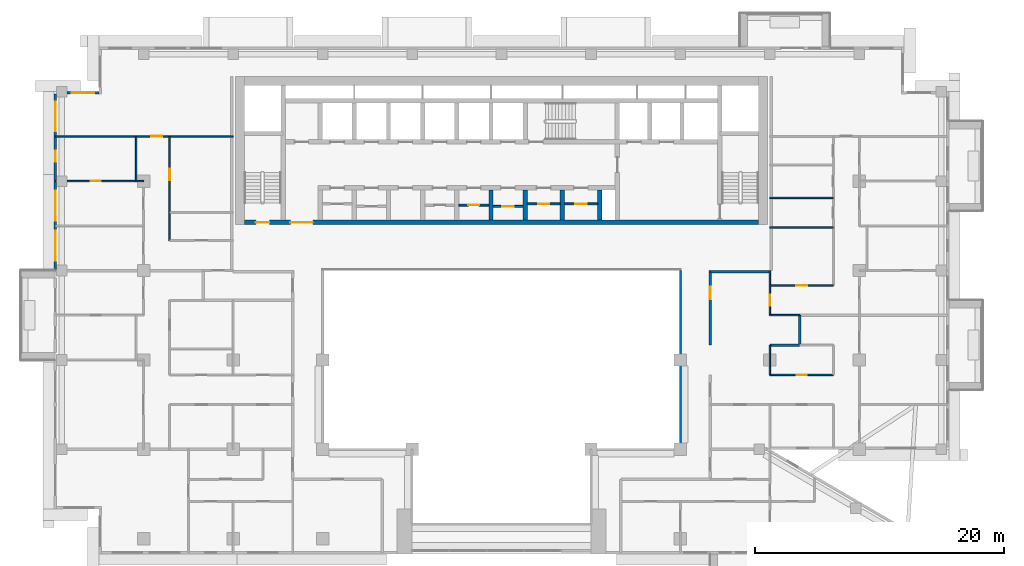
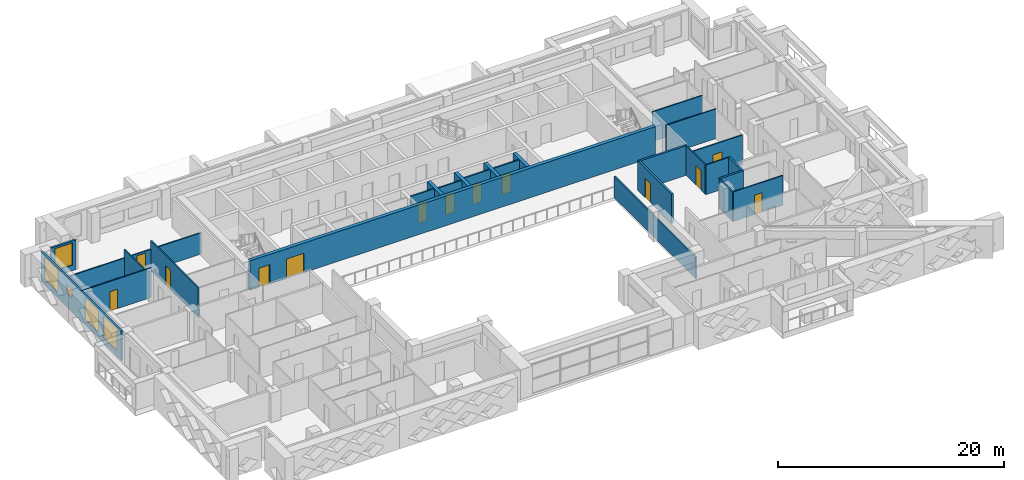
# One storey, part 9 of 20: 27 walls, 13 doors, 5 windows, 18 openings.
"""IFC4 building model written with IfcOpenShell, lengths in metres."""

from ifc_helpers import new_model, si_unit, direction, frame, frame_2d, origin, place, context, subcontext, project, spatial, rectangle, extrude, material, layer, layer_set, type_object, element, fill, save


model = new_model("IFC4")

# Units and contexts
model_context = context("Model", 3, precision=1e-05, world=origin(), true_north=direction((0.0, 1.0)))
body_context = subcontext(model_context, "Body", "Model", "MODEL_VIEW")
ifc_project = project(units=[si_unit("LENGTHUNIT", "METRE"), si_unit("AREAUNIT", "SQUARE_METRE"), si_unit("VOLUMEUNIT", "CUBIC_METRE"), si_unit("PLANEANGLEUNIT", "RADIAN"), si_unit("MASSUNIT", "GRAM", prefix="KILO")], contexts=[model_context])

# Site, building, storey
site_placement = place(None, origin())
site = spatial("IfcSite", under=ifc_project, at=site_placement, CompositionType="ELEMENT")
building_placement = place(site_placement, origin())
building = spatial("IfcBuilding", under=site, at=building_placement, Name="Saffron Iwan Residences", CompositionType="ELEMENT")
storey_placement = place(building_placement, frame((0.0, 0.0, 143.0)))
storey = spatial("IfcBuildingStorey", under=building, at=storey_placement, Name="L37", CompositionType="ELEMENT", Elevation=143.0)

# Wall
ifc_material_1 = material(Name="Fire-rated glazing", Category="glass")
ifc_layer_1 = layer(ifc_material_1, 0.14990234375)
ifc_layer_set_1 = layer_set([ifc_layer_1], Name="Fire-rated glazing")
wall_type_1 = type_object("IfcWallType", Name="Atrium glazed screen 150", PredefinedType="SOLIDWALL", material=ifc_layer_set_1)
wall_1_placement = place(storey_placement, frame((64.800048828125, 48.0, 0.0), z_axis=(0.0, 0.0, 1.0), x_axis=(0.0, 1.0, 0.0)))
element("IfcWall", 1, at=wall_1_placement, inside=storey, type_object=wall_type_1, Name="W-L37-SCREEN-v64.8-48", PredefinedType="SOLIDWALL", context=body_context, shape_type="SweptSolid", body=[
    extrude(rectangle(XDim=14.39990234375, YDim=0.14990234375, at=frame_2d((7.199951171875, 0.0))), origin(), (0.0, 0.0, 1.0), 2.300048828125),
])

# Wall, opening, door
ifc_material_2 = material(Name="Fire-rated plasterboard partition")
ifc_layer_2 = layer(ifc_material_2, 0.14990234375)
ifc_layer_set_2 = layer_set([ifc_layer_2], Name="Fire-rated plasterboard partition")
wall_type_2 = type_object("IfcWallType", Name="Core partition 150", PredefinedType="PARTITIONING", material=ifc_layer_set_2)
wall_2_placement = place(storey_placement, frame((46.97509765625, 67.66259765625, 0.0), z_axis=(0.0, 0.0, 1.0), x_axis=(1.0, 0.0, 0.0)))
wall_2 = element("IfcWall", 2, at=wall_2_placement, inside=storey, type_object=wall_type_2, Name="Core partition P04", PredefinedType="PARTITIONING", context=body_context, shape_type="SweptSolid", body=[
    extrude(rectangle(XDim=2.39990234375, YDim=0.14990234375, at=frame_2d((1.199951171875, 0.0))), origin(), (0.0, 0.0, 1.0), 3.199951171875),
])
opening_1_placement = place(wall_2_placement, frame((0.75, 0.0, 0.0)))
opening_1 = element("IfcOpeningElement", 3, at=opening_1_placement, cuts=wall_2, Name="Opening SB", PredefinedType="OPENING", context=body_context, shape_type="SweptSolid", body=[
    extrude(rectangle(XDim=0.89990234375, YDim=2.10009765625, at=frame_2d((0.449951171875, 1.050048828125))), frame((0.0, 0.0849609375, 0.0), z_axis=(0.0, -1.0, 0.0), x_axis=(1.0, 0.0, 0.0)), (0.0, 0.0, 1.0), 0.169921875),
])
ifc_material_3 = material(Name="Steel fire door", Category="steel")
door_type_1 = type_object("IfcDoorType", Name="Store door 900", OperationType="NOTDEFINED", PredefinedType="DOOR", material=ifc_material_3)
door_1_placement = place(opening_1_placement, origin())
door_1 = element("IfcDoor", 4, at=door_1_placement, inside=storey, type_object=door_type_1, Name="Door Mop store", OperationType="SINGLE_SWING_RIGHT", OverallHeight=2.10009765625, OverallWidth=0.89990234375, PredefinedType="DOOR", context=body_context, shape_type="SweptSolid", body=[
    extrude(rectangle(XDim=0.89990234375, YDim=2.10009765625, at=frame_2d((0.449951171875, 1.050048828125))), frame((0.0, 0.02490234375, 0.0), z_axis=(0.0, -1.0, 0.0), x_axis=(1.0, 0.0, 0.0)), (0.0, 0.0, 1.0), 0.050048828125),
])
fill(opening_1, door_1)

wall_3_placement = place(storey_placement, frame((49.72509765625, 67.5654296875, 0.0), z_axis=(0.0, 0.0, 1.0), x_axis=(1.0, 0.0, 0.0)))
wall_3 = element("IfcWall", 5, at=wall_3_placement, inside=storey, type_object=wall_type_2, Name="Core partition P05", PredefinedType="PARTITIONING", context=body_context, shape_type="SweptSolid", body=[
    extrude(rectangle(XDim=2.39990234375, YDim=0.14990234375, at=frame_2d((1.199951171875, 0.0))), origin(), (0.0, 0.0, 1.0), 3.199951171875),
])
opening_2_placement = place(wall_3_placement, frame((0.75, 0.0, 0.0)))
opening_2 = element("IfcOpeningElement", 6, at=opening_2_placement, cuts=wall_3, Name="Opening SB", PredefinedType="OPENING", context=body_context, shape_type="SweptSolid", body=[
    extrude(rectangle(XDim=0.89990234375, YDim=2.10009765625, at=frame_2d((0.449951171875, 1.050048828125))), frame((0.0, 0.0849609375, 0.0), z_axis=(0.0, -1.0, 0.0), x_axis=(1.0, 0.0, 0.0)), (0.0, 0.0, 1.0), 0.169921875),
])
door_2_placement = place(opening_2_placement, origin())
door_2 = element("IfcDoor", 7, at=door_2_placement, inside=storey, type_object=door_type_1, Name="Door Spares store", OperationType="SINGLE_SWING_LEFT", OverallHeight=2.10009765625, OverallWidth=0.89990234375, PredefinedType="DOOR", context=body_context, shape_type="SweptSolid", body=[
    extrude(rectangle(XDim=0.89990234375, YDim=2.10009765625, at=frame_2d((0.449951171875, 1.050048828125))), frame((0.0, 0.02490234375, 0.0), z_axis=(0.0, -1.0, 0.0), x_axis=(1.0, 0.0, 0.0)), (0.0, 0.0, 1.0), 0.050048828125),
])
fill(opening_2, door_2)

wall_4_placement = place(storey_placement, frame((52.47509765625, 67.759521484375, 0.0), z_axis=(0.0, 0.0, 1.0), x_axis=(1.0, 0.0, 0.0)))
wall_4 = element("IfcWall", 8, at=wall_4_placement, inside=storey, type_object=wall_type_2, Name="Core partition P06", PredefinedType="PARTITIONING", context=body_context, shape_type="SweptSolid", body=[
    extrude(rectangle(XDim=2.64990234375, YDim=0.14990234375, at=frame_2d((1.324951171875, 0.0))), origin(), (0.0, 0.0, 1.0), 3.199951171875),
])
opening_3_placement = place(wall_4_placement, frame((0.875, 0.0, 0.0)))
opening_3 = element("IfcOpeningElement", 9, at=opening_3_placement, cuts=wall_4, Name="Opening SB", PredefinedType="OPENING", context=body_context, shape_type="SweptSolid", body=[
    extrude(rectangle(XDim=0.89990234375, YDim=2.10009765625, at=frame_2d((0.449951171875, 1.050048828125))), frame((0.0, 0.0849609375, 0.0), z_axis=(0.0, -1.0, 0.0), x_axis=(1.0, 0.0, 0.0)), (0.0, 0.0, 1.0), 0.169921875),
])
door_3_placement = place(opening_3_placement, origin())
door_3 = element("IfcDoor", 10, at=door_3_placement, inside=storey, type_object=door_type_1, Name="Door Tool store", OperationType="SINGLE_SWING_LEFT", OverallHeight=2.10009765625, OverallWidth=0.89990234375, PredefinedType="DOOR", context=body_context, shape_type="SweptSolid", body=[
    extrude(rectangle(XDim=0.89990234375, YDim=2.10009765625, at=frame_2d((0.449951171875, 1.050048828125))), frame((0.0, 0.02490234375, 0.0), z_axis=(0.0, -1.0, 0.0), x_axis=(1.0, 0.0, 0.0)), (0.0, 0.0, 1.0), 0.050048828125),
])
fill(opening_3, door_3)

wall_5_placement = place(storey_placement, frame((55.47509765625, 67.759521484375, 0.0), z_axis=(0.0, 0.0, 1.0), x_axis=(1.0, 0.0, 0.0)))
wall_5 = element("IfcWall", 11, at=wall_5_placement, inside=storey, type_object=wall_type_2, Name="Core partition P07", PredefinedType="PARTITIONING", context=body_context, shape_type="SweptSolid", body=[
    extrude(rectangle(XDim=2.64990234375, YDim=0.14990234375, at=frame_2d((1.324951171875, 0.0))), origin(), (0.0, 0.0, 1.0), 3.199951171875),
])
opening_4_placement = place(wall_5_placement, frame((0.875, 0.0, 0.0)))
opening_4 = element("IfcOpeningElement", 12, at=opening_4_placement, cuts=wall_5, Name="Opening SB", PredefinedType="OPENING", context=body_context, shape_type="SweptSolid", body=[
    extrude(rectangle(XDim=0.89990234375, YDim=2.10009765625, at=frame_2d((0.449951171875, 1.050048828125))), frame((0.0, 0.0849609375, 0.0), z_axis=(0.0, -1.0, 0.0), x_axis=(1.0, 0.0, 0.0)), (0.0, 0.0, 1.0), 0.169921875),
])
door_4_placement = place(opening_4_placement, origin())
door_4 = element("IfcDoor", 13, at=door_4_placement, inside=storey, type_object=door_type_1, Name="Door Cabling room", OperationType="SINGLE_SWING_LEFT", OverallHeight=2.10009765625, OverallWidth=0.89990234375, PredefinedType="DOOR", context=body_context, shape_type="SweptSolid", body=[
    extrude(rectangle(XDim=0.89990234375, YDim=2.10009765625, at=frame_2d((0.449951171875, 1.050048828125))), frame((0.0, 0.02490234375, 0.0), z_axis=(0.0, -1.0, 0.0), x_axis=(1.0, 0.0, 0.0)), (0.0, 0.0, 1.0), 0.050048828125),
])
fill(opening_4, door_4)

# Wall, opening, window
ifc_material_4 = material(Name="Concrete C40/50", Category="concrete")
ifc_layer_3 = layer(ifc_material_4, 0.199951171875)
ifc_layer_set_3 = layer_set([ifc_layer_3], Name="Concrete C40/50")
wall_type_3 = type_object("IfcWallType", Name="EXTERNAL WALL 200", PredefinedType="SOLIDWALL", material=ifc_layer_set_3)
wall_6_placement = place(storey_placement, frame((18.0, 76.699951171875, 0.0), z_axis=(0.0, 0.0, 1.0), x_axis=(-1.0, 0.0, 0.0)))
wall_6 = element("IfcWall", 14, at=wall_6_placement, inside=storey, type_object=wall_type_3, Name="External wall L37 F7.0", PredefinedType="SOLIDWALL", context=body_context, shape_type="SweptSolid", body=[
    extrude(rectangle(XDim=2.574951171875, YDim=0.199951171875, at=frame_2d((1.28759765625, 0.0))), origin(), (0.0, 0.0, 1.0), 3.199951171875),
])
opening_5_placement = place(wall_6_placement, frame((0.387451171875, 0.0, 0.60009765625)))
opening_5 = element("IfcOpeningElement", 15, at=opening_5_placement, cuts=wall_6, Name="Opening W8", PredefinedType="OPENING", context=body_context, shape_type="SweptSolid", body=[
    extrude(rectangle(XDim=1.800048828125, YDim=2.39990234375, at=frame_2d((0.89990234375, 1.199951171875))), frame((0.0, 0.10986328125, 0.0), z_axis=(0.0, -1.0, 0.0), x_axis=(1.0, 0.0, 0.0)), (0.0, 0.0, 1.0), 0.219970703125),
])
ifc_material_5 = material(Name="Clear glass, laminated double glazed", Category="glass")
window_type_1 = type_object("IfcWindowType", Name="WINDOW 1800 x 2400", PartitioningType="DOUBLE_PANEL_VERTICAL", PredefinedType="WINDOW", material=ifc_material_5)
window_1_placement = place(opening_5_placement, origin())
window_1 = element("IfcWindow", 16, at=window_1_placement, inside=storey, type_object=window_type_1, Name="Window L37 F7.0", OverallHeight=2.39990234375, OverallWidth=1.800048828125, PartitioningType="DOUBLE_PANEL_VERTICAL", PredefinedType="WINDOW", context=body_context, shape_type="SweptSolid", body=[
    extrude(rectangle(XDim=1.800048828125, YDim=2.39990234375, at=frame_2d((0.89990234375, 1.199951171875))), frame((0.0, 0.030029296875, 0.0), z_axis=(0.0, -1.0, 0.0), x_axis=(1.0, 0.0, 0.0)), (0.0, 0.0, 1.0), 0.06005859375),
])
fill(opening_5, window_1)

# Wall, openings, windows
wall_7_placement = place(storey_placement, frame((14.5, 76.60009765625, 0.0), z_axis=(0.0, 0.0, 1.0), x_axis=(0.0, -1.0, 0.0)))
wall_7 = element("IfcWall", 17, at=wall_7_placement, inside=storey, type_object=wall_type_3, Name="External wall L37 F8.0", PredefinedType="SOLIDWALL", context=body_context, shape_type="SweptSolid", body=[
    extrude(rectangle(XDim=14.2001953125, YDim=0.199951171875, at=frame_2d((7.10009765625, 0.0))), origin(), (0.0, 0.0, 1.0), 3.199951171875),
])
opening_6_placement = place(wall_7_placement, frame((11.012451171875, 0.0, 0.60009765625)))
opening_6 = element("IfcOpeningElement", 18, at=opening_6_placement, cuts=wall_7, Name="Opening W1", PredefinedType="OPENING", context=body_context, shape_type="SweptSolid", body=[
    extrude(rectangle(XDim=2.39990234375, YDim=2.39990234375, at=frame_2d((1.199951171875, 1.199951171875))), frame((0.0, 0.10986328125, 0.0), z_axis=(0.0, -1.0, 0.0), x_axis=(1.0, 0.0, 0.0)), (0.0, 0.0, 1.0), 0.219970703125),
])
opening_7_placement = place(wall_7_placement, frame((7.78759765625, 0.0, 0.60009765625)))
opening_7 = element("IfcOpeningElement", 19, at=opening_7_placement, cuts=wall_7, Name="Opening W1", PredefinedType="OPENING", context=body_context, shape_type="SweptSolid", body=[
    extrude(rectangle(XDim=2.39990234375, YDim=2.39990234375, at=frame_2d((1.199951171875, 1.199951171875))), frame((0.0, 0.10986328125, 0.0), z_axis=(0.0, -1.0, 0.0), x_axis=(1.0, 0.0, 0.0)), (0.0, 0.0, 1.0), 0.219970703125),
])
opening_8_placement = place(wall_7_placement, frame((4.5625, 0.0, 1.5)))
opening_8 = element("IfcOpeningElement", 20, at=opening_8_placement, cuts=wall_7, Name="Opening W6", PredefinedType="OPENING", context=body_context, shape_type="SweptSolid", body=[
    extrude(rectangle(XDim=0.89990234375, YDim=0.89990234375, at=frame_2d((0.449951171875, 0.449951171875))), frame((0.0, 0.10986328125, 0.0), z_axis=(0.0, -1.0, 0.0), x_axis=(1.0, 0.0, 0.0)), (0.0, 0.0, 1.0), 0.219970703125),
])
opening_9_placement = place(wall_7_placement, frame((0.60009765625, 0.0, 0.60009765625)))
opening_9 = element("IfcOpeningElement", 21, at=opening_9_placement, cuts=wall_7, Name="Opening W1", PredefinedType="OPENING", context=body_context, shape_type="SweptSolid", body=[
    extrude(rectangle(XDim=2.39990234375, YDim=2.39990234375, at=frame_2d((1.199951171875, 1.199951171875))), frame((0.0, 0.10986328125, 0.0), z_axis=(0.0, -1.0, 0.0), x_axis=(1.0, 0.0, 0.0)), (0.0, 0.0, 1.0), 0.219970703125),
])
window_type_2 = type_object("IfcWindowType", Name="WINDOW 2400 x 2400", PartitioningType="DOUBLE_PANEL_VERTICAL", PredefinedType="WINDOW", material=ifc_material_5)
window_2_placement = place(opening_6_placement, origin())
window_2 = element("IfcWindow", 22, at=window_2_placement, inside=storey, type_object=window_type_2, Name="Window L37 F8.0", OverallHeight=2.39990234375, OverallWidth=2.39990234375, PartitioningType="DOUBLE_PANEL_VERTICAL", PredefinedType="WINDOW", context=body_context, shape_type="SweptSolid", body=[
    extrude(rectangle(XDim=2.39990234375, YDim=2.39990234375, at=frame_2d((1.199951171875, 1.199951171875))), frame((0.0, 0.030029296875, 0.0), z_axis=(0.0, -1.0, 0.0), x_axis=(1.0, 0.0, 0.0)), (0.0, 0.0, 1.0), 0.06005859375),
])
fill(opening_6, window_2)
window_3_placement = place(opening_7_placement, origin())
window_3 = element("IfcWindow", 23, at=window_3_placement, inside=storey, type_object=window_type_2, Name="Window L37 F8.1", OverallHeight=2.39990234375, OverallWidth=2.39990234375, PartitioningType="DOUBLE_PANEL_VERTICAL", PredefinedType="WINDOW", context=body_context, shape_type="SweptSolid", body=[
    extrude(rectangle(XDim=2.39990234375, YDim=2.39990234375, at=frame_2d((1.199951171875, 1.199951171875))), frame((0.0, 0.030029296875, 0.0), z_axis=(0.0, -1.0, 0.0), x_axis=(1.0, 0.0, 0.0)), (0.0, 0.0, 1.0), 0.06005859375),
])
fill(opening_7, window_3)
window_4_placement = place(opening_9_placement, origin())
window_4 = element("IfcWindow", 24, at=window_4_placement, inside=storey, type_object=window_type_2, Name="Window L37 F8.3", OverallHeight=2.39990234375, OverallWidth=2.39990234375, PartitioningType="DOUBLE_PANEL_VERTICAL", PredefinedType="WINDOW", context=body_context, shape_type="SweptSolid", body=[
    extrude(rectangle(XDim=2.39990234375, YDim=2.39990234375, at=frame_2d((1.199951171875, 1.199951171875))), frame((0.0, 0.030029296875, 0.0), z_axis=(0.0, -1.0, 0.0), x_axis=(1.0, 0.0, 0.0)), (0.0, 0.0, 1.0), 0.06005859375),
])
fill(opening_9, window_4)
window_type_3 = type_object("IfcWindowType", Name="WINDOW 900 x 900 BATH", PartitioningType="SINGLE_PANEL", PredefinedType="WINDOW", material=ifc_material_5)
window_5_placement = place(opening_8_placement, origin())
window_5 = element("IfcWindow", 25, at=window_5_placement, inside=storey, type_object=window_type_3, Name="Window L37 F8.2", OverallHeight=0.89990234375, OverallWidth=0.89990234375, PartitioningType="SINGLE_PANEL", PredefinedType="WINDOW", context=body_context, shape_type="SweptSolid", body=[
    extrude(rectangle(XDim=0.89990234375, YDim=0.89990234375, at=frame_2d((0.449951171875, 0.449951171875))), frame((0.0, 0.030029296875, 0.0), z_axis=(0.0, -1.0, 0.0), x_axis=(1.0, 0.0, 0.0)), (0.0, 0.0, 1.0), 0.06005859375),
])
fill(opening_8, window_5)

# Walls
ifc_material_6 = material(Name="Fire-rated gypsum board wall")
ifc_layer_4 = layer(ifc_material_6, 0.199951171875)
ifc_layer_set_4 = layer_set([ifc_layer_4], Name="Fire-rated gypsum board wall")
wall_type_4 = type_object("IfcWallType", Name="Flat demising wall 200", PredefinedType="SOLIDWALL", material=ifc_layer_set_4)
wall_8_placement = place(storey_placement, frame((72.0, 56.39990234375, 0.0), z_axis=(0.0, 0.0, 1.0), x_axis=(1.0, 0.0, 0.0)))
element("IfcWall", 26, at=wall_8_placement, inside=storey, type_object=wall_type_4, Name="W-L37-DEMISE-h56.4-72", PredefinedType="SOLIDWALL", context=body_context, shape_type="SweptSolid", body=[
    extrude(rectangle(XDim=2.39990234375, YDim=0.199951171875, at=frame_2d((1.199951171875, 0.0))), origin(), (0.0, 0.0, 1.0), 3.199951171875),
])
wall_9_placement = place(storey_placement, frame((74.39990234375, 56.39990234375, 0.0), z_axis=(0.0, 0.0, 1.0), x_axis=(0.0, 1.0, 0.0)))
element("IfcWall", 27, at=wall_9_placement, inside=storey, type_object=wall_type_4, Name="W-L37-DEMISE-v74.4-56.4", PredefinedType="SOLIDWALL", context=body_context, shape_type="SweptSolid", body=[
    extrude(rectangle(XDim=2.400146484375, YDim=0.199951171875, at=frame_2d((1.2001953125, 0.0))), origin(), (0.0, 0.0, 1.0), 3.199951171875),
])

# Wall, opening, door
ifc_material_7 = material(Name="Gypsum board partition")
ifc_layer_5 = layer(ifc_material_7, 0.1201171875)
ifc_layer_set_5 = layer_set([ifc_layer_5], Name="Gypsum board partition")
wall_type_5 = type_object("IfcWallType", Name="Flat partition 120", PredefinedType="PARTITIONING", material=ifc_layer_set_5)
wall_10_placement = place(storey_placement, frame((72.0, 54.0, 0.0), z_axis=(0.0, 0.0, 1.0), x_axis=(1.0, 0.0, 0.0)))
wall_10 = element("IfcWall", 28, at=wall_10_placement, inside=storey, type_object=wall_type_5, Name="W-L37-PART-h54-72", PredefinedType="PARTITIONING", context=body_context, shape_type="SweptSolid", body=[
    extrude(rectangle(XDim=5.10009765625, YDim=0.1201171875, at=frame_2d((2.550048828125, 0.0))), origin(), (0.0, 0.0, 1.0), 3.199951171875),
])
opening_10_placement = place(wall_10_placement, frame((2.14990234375, 0.0, 0.0)))
opening_10 = element("IfcOpeningElement", 29, at=opening_10_placement, cuts=wall_10, Name="Opening FD3", PredefinedType="OPENING", context=body_context, shape_type="SweptSolid", body=[
    extrude(rectangle(XDim=0.800048828125, YDim=2.10009765625, at=frame_2d((0.39990234375, 1.050048828125))), frame((0.0, 0.070068359375, 0.0), z_axis=(0.0, -1.0, 0.0), x_axis=(1.0, 0.0, 0.0)), (0.0, 0.0, 1.0), 0.14013671875),
])
ifc_material_8 = material(Name="Timber door", Category="wood")
door_type_2 = type_object("IfcDoorType", Name="Bathroom door 800", OperationType="NOTDEFINED", PredefinedType="DOOR", material=ifc_material_8)
door_5_placement = place(opening_10_placement, origin())
door_5 = element("IfcDoor", 30, at=door_5_placement, inside=storey, type_object=door_type_2, Name="Door L37-020", OperationType="SINGLE_SWING_LEFT", OverallHeight=2.10009765625, OverallWidth=0.800048828125, PredefinedType="DOOR", context=body_context, shape_type="SweptSolid", body=[
    extrude(rectangle(XDim=0.800048828125, YDim=2.10009765625, at=frame_2d((0.39990234375, 1.050048828125))), frame((0.0, 0.02490234375, 0.0), z_axis=(0.0, -1.0, 0.0), x_axis=(1.0, 0.0, 0.0)), (0.0, 0.0, 1.0), 0.050048828125),
])
fill(opening_10, door_5)

# Wall
wall_11_placement = place(storey_placement, frame((72.0, 58.800048828125, 0.0), z_axis=(0.0, 0.0, 1.0), x_axis=(1.0, 0.0, 0.0)))
element("IfcWall", 31, at=wall_11_placement, inside=storey, type_object=wall_type_5, Name="W-L37-PART-h58.8-72", PredefinedType="PARTITIONING", context=body_context, shape_type="SweptSolid", body=[
    extrude(rectangle(XDim=2.39990234375, YDim=0.1201171875, at=frame_2d((1.199951171875, 0.0))), origin(), (0.0, 0.0, 1.0), 3.199951171875),
])

# Wall, opening, door
wall_12_placement = place(storey_placement, frame((72.0, 61.199951171875, 0.0), z_axis=(0.0, 0.0, 1.0), x_axis=(1.0, 0.0, 0.0)))
wall_12 = element("IfcWall", 32, at=wall_12_placement, inside=storey, type_object=wall_type_5, Name="W-L37-PART-h61.2-72", PredefinedType="PARTITIONING", context=body_context, shape_type="SweptSolid", body=[
    extrude(rectangle(XDim=5.10009765625, YDim=0.1201171875, at=frame_2d((2.550048828125, 0.0))), origin(), (0.0, 0.0, 1.0), 3.199951171875),
])
opening_11_placement = place(wall_12_placement, frame((2.10009765625, 0.0, 0.0)))
opening_11 = element("IfcOpeningElement", 33, at=opening_11_placement, cuts=wall_12, Name="Opening FD2", PredefinedType="OPENING", context=body_context, shape_type="SweptSolid", body=[
    extrude(rectangle(XDim=0.89990234375, YDim=2.10009765625, at=frame_2d((0.449951171875, 1.050048828125))), frame((0.0, 0.070068359375, 0.0), z_axis=(0.0, -1.0, 0.0), x_axis=(1.0, 0.0, 0.0)), (0.0, 0.0, 1.0), 0.14013671875),
])
door_type_3 = type_object("IfcDoorType", Name="Flat door 900", OperationType="NOTDEFINED", PredefinedType="DOOR", material=ifc_material_8)
door_6_placement = place(opening_11_placement, origin())
door_6 = element("IfcDoor", 34, at=door_6_placement, inside=storey, type_object=door_type_3, Name="Door L37-037", OperationType="SINGLE_SWING_LEFT", OverallHeight=2.10009765625, OverallWidth=0.89990234375, PredefinedType="DOOR", context=body_context, shape_type="SweptSolid", body=[
    extrude(rectangle(XDim=0.89990234375, YDim=2.10009765625, at=frame_2d((0.449951171875, 1.050048828125))), frame((0.0, 0.02490234375, 0.0), z_axis=(0.0, -1.0, 0.0), x_axis=(1.0, 0.0, 0.0)), (0.0, 0.0, 1.0), 0.050048828125),
])
fill(opening_11, door_6)

# Walls
for number, where, z_axis, x_axis, name in (
    (35, (72.0, 65.85009765625, 0.0), (0.0, 0.0, 1.0), (1.0, 0.0, 0.0), "W-L37-PART-h65.85-72"),
    (36, (72.0, 68.25, 0.0), (0.0, 0.0, 1.0), (1.0, 0.0, 0.0), "W-L37-PART-h68.25-72"),
):
    element("IfcWall", number, at=place(storey_placement, frame(where, z_axis=z_axis, x_axis=x_axis)), inside=storey, type_object=wall_type_5, Name=name, PredefinedType="PARTITIONING", context=body_context, shape_type="SweptSolid", body=[
        extrude(rectangle(XDim=5.10009765625, YDim=0.1201171875, at=frame_2d((2.550048828125, 0.0))), origin(), (0.0, 0.0, 1.0), 3.199951171875),
    ])

# Wall, opening, door
wall_13_placement = place(storey_placement, frame((14.52490234375, 69.60009765625, 0.0), z_axis=(0.0, 0.0, 1.0), x_axis=(1.0, 0.0, 0.0)))
wall_13 = element("IfcWall", 37, at=wall_13_placement, inside=storey, type_object=wall_type_5, Name="W-L37-PART-h69.6-14.525", PredefinedType="PARTITIONING", context=body_context, shape_type="SweptSolid", body=[
    extrude(rectangle(XDim=7.0751953125, YDim=0.1201171875, at=frame_2d((3.53759765625, 0.0))), origin(), (0.0, 0.0, 1.0), 3.199951171875),
])
opening_12_placement = place(wall_13_placement, frame((2.83740234375, 0.0, 0.0)))
opening_12 = element("IfcOpeningElement", 38, at=opening_12_placement, cuts=wall_13, Name="Opening FD3", PredefinedType="OPENING", context=body_context, shape_type="SweptSolid", body=[
    extrude(rectangle(XDim=0.800048828125, YDim=2.10009765625, at=frame_2d((0.39990234375, 1.050048828125))), frame((0.0, 0.070068359375, 0.0), z_axis=(0.0, -1.0, 0.0), x_axis=(1.0, 0.0, 0.0)), (0.0, 0.0, 1.0), 0.14013671875),
])
door_7_placement = place(opening_12_placement, origin())
door_7 = element("IfcDoor", 39, at=door_7_placement, inside=storey, type_object=door_type_2, Name="Door L37-026", OperationType="SINGLE_SWING_LEFT", OverallHeight=2.10009765625, OverallWidth=0.800048828125, PredefinedType="DOOR", context=body_context, shape_type="SweptSolid", body=[
    extrude(rectangle(XDim=0.800048828125, YDim=2.10009765625, at=frame_2d((0.39990234375, 1.050048828125))), frame((0.0, 0.02490234375, 0.0), z_axis=(0.0, -1.0, 0.0), x_axis=(1.0, 0.0, 0.0)), (0.0, 0.0, 1.0), 0.050048828125),
])
fill(opening_12, door_7)

wall_14_placement = place(storey_placement, frame((14.52490234375, 73.199951171875, 0.0), z_axis=(0.0, 0.0, 1.0), x_axis=(1.0, 0.0, 0.0)))
wall_14 = element("IfcWall", 40, at=wall_14_placement, inside=storey, type_object=wall_type_5, Name="W-L37-PART-h73.2-14.525", PredefinedType="PARTITIONING", context=body_context, shape_type="SweptSolid", body=[
    extrude(rectangle(XDim=14.275146484375, YDim=0.1201171875, at=frame_2d((7.1376953125, 0.0))), origin(), (0.0, 0.0, 1.0), 2.300048828125),
])
opening_13_placement = place(wall_14_placement, frame((7.675048828125, 0.0, 0.0)))
opening_13 = element("IfcOpeningElement", 41, at=opening_13_placement, cuts=wall_14, Name="Opening FD2", PredefinedType="OPENING", context=body_context, shape_type="SweptSolid", body=[
    extrude(rectangle(XDim=0.89990234375, YDim=2.10009765625, at=frame_2d((0.449951171875, 1.050048828125))), frame((0.0, 0.070068359375, 0.0), z_axis=(0.0, -1.0, 0.0), x_axis=(1.0, 0.0, 0.0)), (0.0, 0.0, 1.0), 0.14013671875),
])
door_8_placement = place(opening_13_placement, origin())
door_8 = element("IfcDoor", 42, at=door_8_placement, inside=storey, type_object=door_type_3, Name="Door L37-027", OperationType="SINGLE_SWING_RIGHT", OverallHeight=2.10009765625, OverallWidth=0.89990234375, PredefinedType="DOOR", context=body_context, shape_type="SweptSolid", body=[
    extrude(rectangle(XDim=0.89990234375, YDim=2.10009765625, at=frame_2d((0.449951171875, 1.050048828125))), frame((0.0, 0.02490234375, 0.0), z_axis=(0.0, -1.0, 0.0), x_axis=(1.0, 0.0, 0.0)), (0.0, 0.0, 1.0), 0.050048828125),
])
fill(opening_13, door_8)

# Wall
wall_15_placement = place(storey_placement, frame((21.0, 69.60009765625, 0.0), z_axis=(0.0, 0.0, 1.0), x_axis=(0.0, 1.0, 0.0)))
element("IfcWall", 43, at=wall_15_placement, inside=storey, type_object=wall_type_5, Name="W-L37-PART-v21-69.6", PredefinedType="PARTITIONING", context=body_context, shape_type="SweptSolid", body=[
    extrude(rectangle(XDim=3.599853515625, YDim=0.1201171875, at=frame_2d((1.7998046875, 0.0))), origin(), (0.0, 0.0, 1.0), 3.199951171875),
])

# Wall, opening, door
wall_16_placement = place(storey_placement, frame((23.699951171875, 64.800048828125, 0.0), z_axis=(0.0, 0.0, 1.0), x_axis=(0.0, 1.0, 0.0)))
wall_16 = element("IfcWall", 44, at=wall_16_placement, inside=storey, type_object=wall_type_5, Name="W-L37-PART-v23.7-64.8", PredefinedType="PARTITIONING", context=body_context, shape_type="SweptSolid", body=[
    extrude(rectangle(XDim=8.39990234375, YDim=0.1201171875, at=frame_2d((4.199951171875, 0.0))), origin(), (0.0, 0.0, 1.0), 3.199951171875),
])
opening_14_placement = place(wall_16_placement, frame((4.875, 0.0, 0.0)))
opening_14 = element("IfcOpeningElement", 45, at=opening_14_placement, cuts=wall_16, Name="Opening FD2", PredefinedType="OPENING", context=body_context, shape_type="SweptSolid", body=[
    extrude(rectangle(XDim=0.89990234375, YDim=2.10009765625, at=frame_2d((0.449951171875, 1.050048828125))), frame((0.0, 0.070068359375, 0.0), z_axis=(0.0, -1.0, 0.0), x_axis=(1.0, 0.0, 0.0)), (0.0, 0.0, 1.0), 0.14013671875),
])
door_9_placement = place(opening_14_placement, origin())
door_9 = element("IfcDoor", 46, at=door_9_placement, inside=storey, type_object=door_type_3, Name="Door L37-029", OperationType="SINGLE_SWING_LEFT", OverallHeight=2.10009765625, OverallWidth=0.89990234375, PredefinedType="DOOR", context=body_context, shape_type="SweptSolid", body=[
    extrude(rectangle(XDim=0.89990234375, YDim=2.10009765625, at=frame_2d((0.449951171875, 1.050048828125))), frame((0.0, 0.02490234375, 0.0), z_axis=(0.0, -1.0, 0.0), x_axis=(1.0, 0.0, 0.0)), (0.0, 0.0, 1.0), 0.050048828125),
])
fill(opening_14, door_9)

# Wall
wall_17_placement = place(storey_placement, frame((72.0, 54.0, 0.0), z_axis=(0.0, 0.0, 1.0), x_axis=(0.0, 1.0, 0.0)))
element("IfcWall", 47, at=wall_17_placement, inside=storey, type_object=wall_type_5, Name="W-L37-PART-v72-54", PredefinedType="PARTITIONING", context=body_context, shape_type="SweptSolid", body=[
    extrude(rectangle(XDim=2.39990234375, YDim=0.1201171875, at=frame_2d((1.199951171875, 0.0))), origin(), (0.0, 0.0, 1.0), 3.199951171875),
])

# Wall, opening, door
wall_18_placement = place(storey_placement, frame((72.0, 58.800048828125, 0.0), z_axis=(0.0, 0.0, 1.0), x_axis=(0.0, 1.0, 0.0)))
wall_18 = element("IfcWall", 48, at=wall_18_placement, inside=storey, type_object=wall_type_5, Name="W-L37-PART-v72-58.8", PredefinedType="PARTITIONING", context=body_context, shape_type="SweptSolid", body=[
    extrude(rectangle(XDim=3.599853515625, YDim=0.1201171875, at=frame_2d((1.7998046875, 0.0))), origin(), (0.0, 0.0, 1.0), 3.199951171875),
])
opening_15_placement = place(wall_18_placement, frame((0.75, 0.0, 0.0)))
opening_15 = element("IfcOpeningElement", 49, at=opening_15_placement, cuts=wall_18, Name="Opening FD2", PredefinedType="OPENING", context=body_context, shape_type="SweptSolid", body=[
    extrude(rectangle(XDim=0.89990234375, YDim=2.10009765625, at=frame_2d((0.449951171875, 1.050048828125))), frame((0.0, 0.070068359375, 0.0), z_axis=(0.0, -1.0, 0.0), x_axis=(1.0, 0.0, 0.0)), (0.0, 0.0, 1.0), 0.14013671875),
])
door_10_placement = place(opening_15_placement, origin())
door_10 = element("IfcDoor", 50, at=door_10_placement, inside=storey, type_object=door_type_3, Name="Door L37-030", OperationType="SINGLE_SWING_RIGHT", OverallHeight=2.10009765625, OverallWidth=0.89990234375, PredefinedType="DOOR", context=body_context, shape_type="SweptSolid", body=[
    extrude(rectangle(XDim=0.89990234375, YDim=2.10009765625, at=frame_2d((0.449951171875, 1.050048828125))), frame((0.0, 0.02490234375, 0.0), z_axis=(0.0, -1.0, 0.0), x_axis=(1.0, 0.0, 0.0)), (0.0, 0.0, 1.0), 0.050048828125),
])
fill(opening_15, door_10)

# Wall
ifc_layer_6 = layer(ifc_material_6, 0.199951171875)
ifc_layer_set_6 = layer_set([ifc_layer_6], Name="Fire-rated gypsum board wall")
wall_type_6 = type_object("IfcWallType", Name="Gallery wall 200", PredefinedType="SOLIDWALL", material=ifc_layer_set_6)
wall_19_placement = place(storey_placement, frame((67.199951171875, 62.300048828125, 0.0), z_axis=(0.0, 0.0, 1.0), x_axis=(1.0, 0.0, 0.0)))
element("IfcWall", 51, at=wall_19_placement, inside=storey, type_object=wall_type_6, Name="W-L37-CORR-h62.4-67.2", PredefinedType="SOLIDWALL", context=body_context, shape_type="SweptSolid", body=[
    extrude(rectangle(XDim=4.800048828125, YDim=0.199951171875, at=frame_2d((2.39990234375, 0.0))), origin(), (0.0, 0.0, 1.0), 3.199951171875),
])

# Wall, opening, door
wall_20_placement = place(storey_placement, frame((67.199951171875, 56.39990234375, 0.0), z_axis=(0.0, 0.0, 1.0), x_axis=(0.0, 1.0, 0.0)))
wall_20 = element("IfcWall", 52, at=wall_20_placement, inside=storey, type_object=wall_type_6, Name="W-L37-CORR-v67.2-56.4", PredefinedType="SOLIDWALL", context=body_context, shape_type="SweptSolid", body=[
    extrude(rectangle(XDim=6.0, YDim=0.199951171875, at=frame_2d((3.0, 0.0))), origin(), (0.0, 0.0, 1.0), 3.199951171875),
])
opening_16_placement = place(wall_20_placement, frame((3.699951171875, 0.0, 0.0)))
opening_16 = element("IfcOpeningElement", 53, at=opening_16_placement, cuts=wall_20, Name="Opening FD5", PredefinedType="OPENING", context=body_context, shape_type="SweptSolid", body=[
    extrude(rectangle(XDim=1.0, YDim=2.10009765625, at=frame_2d((0.5, 1.050048828125))), frame((0.0, 0.10986328125, 0.0), z_axis=(0.0, -1.0, 0.0), x_axis=(1.0, 0.0, 0.0)), (0.0, 0.0, 1.0), 0.219970703125),
])
ifc_material_9 = material(Name="Fire-rated timber door", Category="wood")
door_type_4 = type_object("IfcDoorType", Name="Lobby door 1000", OperationType="NOTDEFINED", PredefinedType="DOOR", material=ifc_material_9)
door_11_placement = place(opening_16_placement, origin())
door_11 = element("IfcDoor", 54, at=door_11_placement, inside=storey, type_object=door_type_4, Name="Door L37-031", OperationType="SINGLE_SWING_LEFT", OverallHeight=2.10009765625, OverallWidth=1.0, PredefinedType="DOOR", context=body_context, shape_type="SweptSolid", body=[
    extrude(rectangle(XDim=1.0, YDim=2.10009765625, at=frame_2d((0.5, 1.050048828125))), frame((0.0, 0.02490234375, 0.0), z_axis=(0.0, -1.0, 0.0), x_axis=(1.0, 0.0, 0.0)), (0.0, 0.0, 1.0), 0.050048828125),
])
fill(opening_16, door_11)

# Wall, openings, doors
ifc_material_10 = material(Name="Concrete C50/60", Category="concrete")
ifc_layer_7 = layer(ifc_material_10, 0.35009765625)
ifc_layer_set_7 = layer_set([ifc_layer_7], Name="Concrete C50/60")
wall_type_7 = type_object("IfcWallType", Name="WALL CORE 350 C50/60 3200 HIGH", PredefinedType="SHEAR", material=ifc_layer_set_7)
wall_21_placement = place(storey_placement, frame((29.699951171875, 66.27490234375, 0.0), z_axis=(0.0, 0.0, 1.0), x_axis=(1.0, 0.0, 0.0)))
wall_21 = element("IfcWall", 55, at=wall_21_placement, inside=storey, type_object=wall_type_7, Name="Core wall", PredefinedType="SHEAR", context=body_context, shape_type="SweptSolid", body=[
    extrude(rectangle(XDim=41.400146484375, YDim=0.35009765625, at=frame_2d((20.7001953125, 0.0))), origin(), (0.0, 0.0, 1.0), 3.199951171875),
])
opening_17_placement = place(wall_21_placement, frame((0.925048828125, 0.0, 0.0)))
opening_17 = element("IfcOpeningElement", 56, at=opening_17_placement, cuts=wall_21, Name="Opening SD", PredefinedType="OPENING", context=body_context, shape_type="SweptSolid", body=[
    extrude(rectangle(XDim=1.10009765625, YDim=2.10009765625, at=frame_2d((0.550048828125, 1.050048828125))), frame((0.0, 0.18505859375, 0.0), z_axis=(0.0, -1.0, 0.0), x_axis=(1.0, 0.0, 0.0)), (0.0, 0.0, 1.0), 0.3701171875),
])
opening_18_placement = place(wall_21_placement, frame((3.71240234375, 0.0, 0.0)))
opening_18 = element("IfcOpeningElement", 57, at=opening_18_placement, cuts=wall_21, Name="Opening DD", PredefinedType="OPENING", context=body_context, shape_type="SweptSolid", body=[
    extrude(rectangle(XDim=1.800048828125, YDim=2.10009765625, at=frame_2d((0.89990234375, 1.050048828125))), frame((0.0, 0.18505859375, 0.0), z_axis=(0.0, -1.0, 0.0), x_axis=(1.0, 0.0, 0.0)), (0.0, 0.0, 1.0), 0.3701171875),
])
door_type_5 = type_object("IfcDoorType", Name="Lobby double door 1800", OperationType="DOUBLE_DOOR_SINGLE_SWING", PredefinedType="DOOR", material=ifc_material_3)
door_12_placement = place(opening_18_placement, origin())
door_12 = element("IfcDoor", 58, at=door_12_placement, inside=storey, type_object=door_type_5, Name="Lobby doors", OperationType="DOUBLE_DOOR_SINGLE_SWING", OverallHeight=2.10009765625, OverallWidth=1.800048828125, PredefinedType="DOOR", context=body_context, shape_type="SweptSolid", body=[
    extrude(rectangle(XDim=1.800048828125, YDim=2.10009765625, at=frame_2d((0.89990234375, 1.050048828125))), frame((0.0, 0.02490234375, 0.0), z_axis=(0.0, -1.0, 0.0), x_axis=(1.0, 0.0, 0.0)), (0.0, 0.0, 1.0), 0.050048828125),
])
fill(opening_18, door_12)
door_type_6 = type_object("IfcDoorType", Name="Stair door 1100", OperationType="NOTDEFINED", PredefinedType="DOOR", material=ifc_material_3)
door_13_placement = place(opening_17_placement, origin())
door_13 = element("IfcDoor", 59, at=door_13_placement, inside=storey, type_object=door_type_6, Name="Stair door ST-W", OperationType="SINGLE_SWING_LEFT", OverallHeight=2.10009765625, OverallWidth=1.10009765625, PredefinedType="DOOR", context=body_context, shape_type="SweptSolid", body=[
    extrude(rectangle(XDim=1.10009765625, YDim=2.10009765625, at=frame_2d((0.550048828125, 1.050048828125))), frame((0.0, 0.02490234375, 0.0), z_axis=(0.0, -1.0, 0.0), x_axis=(1.0, 0.0, 0.0)), (0.0, 0.0, 1.0), 0.050048828125),
])
fill(opening_17, door_13)

# Walls
for number, where, z_axis, x_axis, name in (
    (60, (49.550048828125, 66.449951171875, 0.0), (0.0, 0.0, 1.0), (0.0, 1.0, 0.0), "Core wall"),
    (61, (52.300048828125, 66.449951171875, 0.0), (0.0, 0.0, 1.0), (0.0, 1.0, 0.0), "Core wall"),
    (62, (55.300048828125, 66.449951171875, 0.0), (0.0, 0.0, 1.0), (0.0, 1.0, 0.0), "Core wall"),
    (63, (58.300048828125, 66.449951171875, 0.0), (0.0, 0.0, 1.0), (0.0, 1.0, 0.0), "Core wall"),
):
    element("IfcWall", number, at=place(storey_placement, frame(where, z_axis=z_axis, x_axis=x_axis)), inside=storey, type_object=wall_type_7, Name=name, PredefinedType="SHEAR", context=body_context, shape_type="SweptSolid", body=[
        extrude(rectangle(XDim=2.425048828125, YDim=0.35009765625, at=frame_2d((1.21240234375, 0.0))), origin(), (0.0, 0.0, 1.0), 3.199951171875),
    ])

save(model, "model.ifc")
